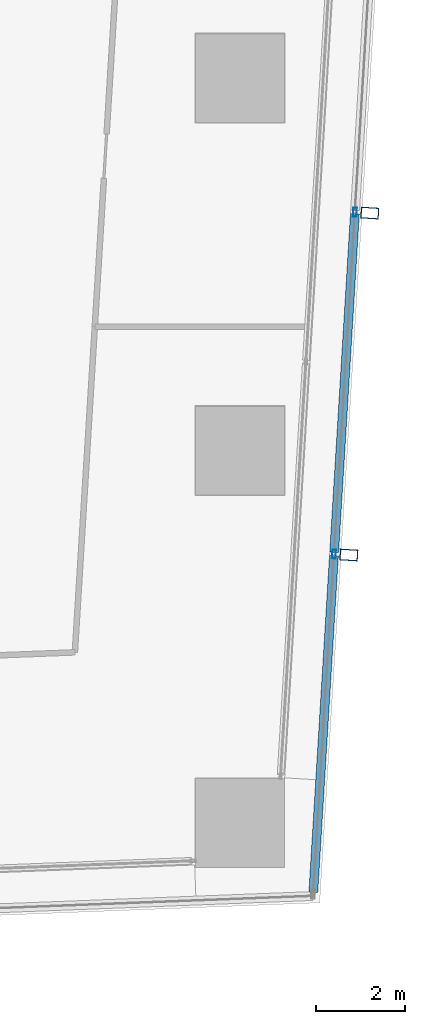
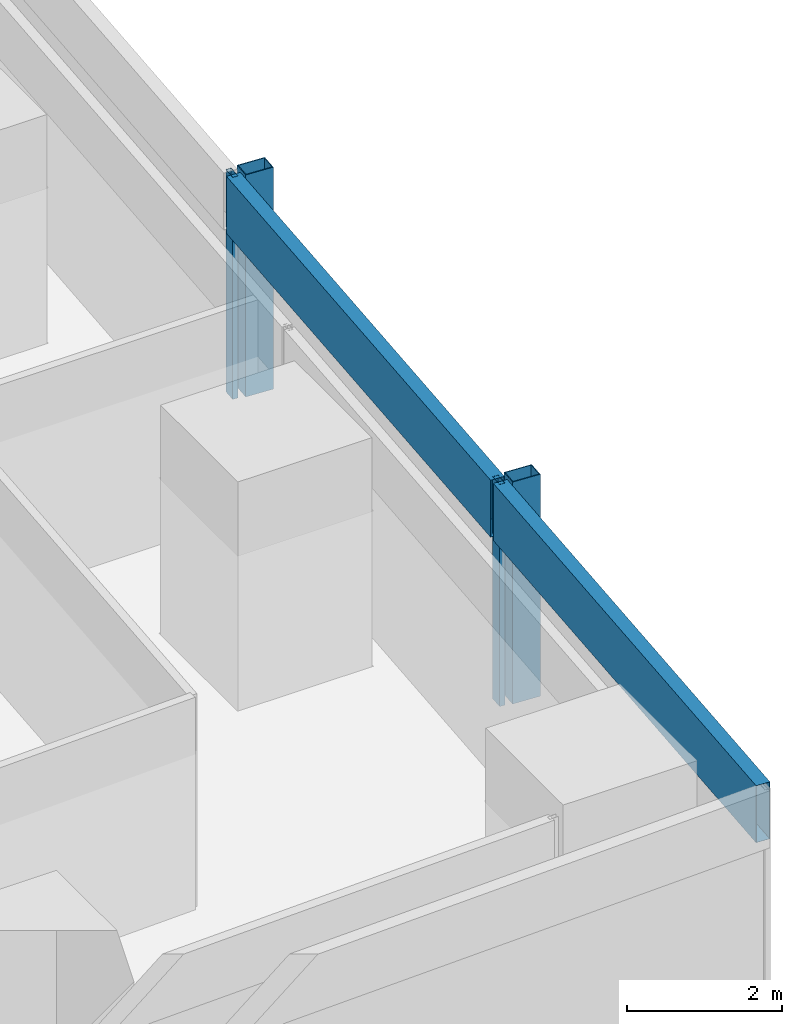
# One storey, part 23 of 39: 6 members, 1 element without a shape of its own.
"""IFC4 building model written with IfcOpenShell, lengths in metres."""

from ifc_helpers import new_model, si_unit, direction, frame, origin, origin_2d, place, context, subcontext, project, spatial, hollow_rectangle, extrude, material, material_profile, profile_set, type_object, element, aggregate, save


model = new_model("IFC4")

# Units and contexts
model_context = context("Model", 3, precision=1e-05, world=origin(), true_north=direction((0.0, 1.0)))
body_context = subcontext(model_context, "Body", "Model", "MODEL_VIEW")
ifc_project = project(units=[si_unit("LENGTHUNIT", "METRE"), si_unit("AREAUNIT", "SQUARE_METRE"), si_unit("VOLUMEUNIT", "CUBIC_METRE"), si_unit("PLANEANGLEUNIT", "RADIAN"), si_unit("MASSUNIT", "GRAM", prefix="KILO")], contexts=[model_context])

# Site, building, storey
site_placement = place(None, origin())
site = spatial("IfcSite", under=ifc_project, at=site_placement, CompositionType="ELEMENT")
building_placement = place(site_placement, origin())
building = spatial("IfcBuilding", under=site, at=building_placement, Name="Rekha Terrace Tower", CompositionType="ELEMENT")
storey_placement = place(building_placement, frame((0.0, 0.0, 151.550048828125)))
storey = spatial("IfcBuildingStorey", under=building, at=storey_placement, Name="L38", CompositionType="ELEMENT", Elevation=151.550048828125)

# Curtain wall, members
ifc_material_1 = material(Name="Aluminium framing", Category="aluminium")
curtain_wall_type = type_object("IfcCurtainWallType", Name="CW2 double skin outer glazing", PredefinedType="USERDEFINED", material=ifc_material_1)
curtain_wall_placement = place(storey_placement, origin())
curtain_wall = element("IfcCurtainWall", 1, at=curtain_wall_placement, inside=storey, type_object=curtain_wall_type, Name="CW2 double skin outer glazing", ObjectType="DOUBLE SKIN OUTER GLAZING", PredefinedType="USERDEFINED")
ifc_material_2 = material(Name="Steel S355 with fluorocarbon finish", Category="steel")
ifc_material_profile_1 = material_profile(ifc_material_2, hollow_rectangle(XDim=0.25, YDim=0.39990234375, WallThickness=0.012451171875, at=origin_2d()), Name="RHS400x250x12.5")
ifc_profile_set_1 = profile_set([ifc_material_profile_1], Name="Steel S355 with fluorocarbon finish")
member_type_1 = type_object("IfcMemberType", Name="BL1 facade blade RHS 400 x 250", PredefinedType="USERDEFINED", material=ifc_profile_set_1)
member_1_placement = place(storey_placement, frame((69.656005859375, 22.845703125, 0.0), z_axis=(0.0, 0.0, 1.0), x_axis=(0.061160031881, 0.998127973008, 0.0)))
member_1 = element("IfcMember", 2, at=member_1_placement, type_object=member_type_1, Name="Facade blade", ObjectType="FACADE BLADE", PredefinedType="USERDEFINED", context=body_context, shape_type="SweptSolid", body=[
    extrude(hollow_rectangle(XDim=0.25, YDim=0.39990234375, WallThickness=0.012451171875, at=origin_2d()), origin(), (0.0, 0.0, 1.0), 3.5),
])
member_2_placement = place(storey_placement, frame((70.128662109375, 30.557861328125, 0.0), z_axis=(0.0, 0.0, 1.0), x_axis=(0.061160031881, 0.998127973008, 0.0)))
member_2 = element("IfcMember", 3, at=member_2_placement, type_object=member_type_1, Name="Facade blade", ObjectType="FACADE BLADE", PredefinedType="USERDEFINED", context=body_context, shape_type="SweptSolid", body=[
    extrude(hollow_rectangle(XDim=0.25, YDim=0.39990234375, WallThickness=0.012451171875, at=origin_2d()), origin(), (0.0, 0.0, 1.0), 3.5),
])
ifc_material_3 = material(Name="Aluminium mullion section", Category="aluminium")
ifc_material_profile_2 = material_profile(ifc_material_3, hollow_rectangle(XDim=0.080078125, YDim=0.199951171875, WallThickness=0.00390625, at=origin_2d()), Name="AL RHS 80x200")
ifc_profile_set_2 = profile_set([ifc_material_profile_2], Name="Aluminium mullion section")
member_type_2 = type_object("IfcMemberType", Name="CW2 mullion RHS 80 x 200", PredefinedType="MULLION", material=ifc_profile_set_2)
member_3_placement = place(storey_placement, frame((69.32177734375, 22.8662109375, 0.0), z_axis=(0.0, 0.0, 1.0), x_axis=(-0.998127987024, 0.061159803131, 0.0)))
member_3 = element("IfcMember", 4, at=member_3_placement, type_object=member_type_2, Name="CW2 mullion 2", PredefinedType="MULLION", context=body_context, shape_type="SweptSolid", body=[
    extrude(hollow_rectangle(XDim=0.080078125, YDim=0.199951171875, WallThickness=0.00390625, at=origin_2d()), origin(), (0.0, 0.0, 1.0), 3.5),
])
member_4_placement = place(storey_placement, frame((69.794189453125, 30.578369140625, 0.0), z_axis=(0.0, 0.0, 1.0), x_axis=(-0.998127987024, 0.061159803131, 0.0)))
member_4 = element("IfcMember", 5, at=member_4_placement, type_object=member_type_2, Name="CW2 mullion 3", PredefinedType="MULLION", context=body_context, shape_type="SweptSolid", body=[
    extrude(hollow_rectangle(XDim=0.080078125, YDim=0.199951171875, WallThickness=0.00390625, at=origin_2d()), origin(), (0.0, 0.0, 1.0), 3.5),
])
ifc_material_4 = material(Name="Insulated aluminium spandrel box", Category="aluminium")
ifc_material_profile_3 = material_profile(ifc_material_4, hollow_rectangle(XDim=0.199951171875, YDim=0.89990234375, WallThickness=0.0029296875, at=origin_2d()), Name="AL SPANDREL BOX 200x900")
ifc_profile_set_3 = profile_set([ifc_material_profile_3], Name="Insulated aluminium spandrel box")
member_type_3 = type_object("IfcMemberType", Name="CW2 spandrel transom 200 x 900", PredefinedType="USERDEFINED", material=ifc_profile_set_3)
member_5_placement = place(storey_placement, frame((68.85400390625, 15.234130859375, 3.050048828125), z_axis=(0.061175320944, 0.998127036057, 0.0), x_axis=(-0.998127036057, 0.061175320944, 0.0)))
member_5 = element("IfcMember", 6, at=member_5_placement, type_object=member_type_3, Name="CW2 spandrel transom 1", ObjectType="TRANSOM", PredefinedType="USERDEFINED", context=body_context, shape_type="SweptSolid", body=[
    extrude(hollow_rectangle(XDim=0.199951171875, YDim=0.89990234375, WallThickness=0.0029296875, at=origin_2d()), origin(), (0.0, 0.0, 1.0), 7.6064453125),
])
member_6_placement = place(storey_placement, frame((69.32421875, 22.90625, 3.050048828125), z_axis=(0.061141871886, 0.998129085591, 0.0), x_axis=(-0.998129085591, 0.061141871886, 0.0)))
member_6 = element("IfcMember", 7, at=member_6_placement, type_object=member_type_3, Name="CW2 spandrel transom 2", ObjectType="TRANSOM", PredefinedType="USERDEFINED", context=body_context, shape_type="SweptSolid", body=[
    extrude(hollow_rectangle(XDim=0.199951171875, YDim=0.89990234375, WallThickness=0.0029296875, at=origin_2d()), origin(), (0.0, 0.0, 1.0), 7.646728515625),
])
aggregate(curtain_wall, [member_3, member_4, member_5, member_6, member_1, member_2])

save(model, "model.ifc")
